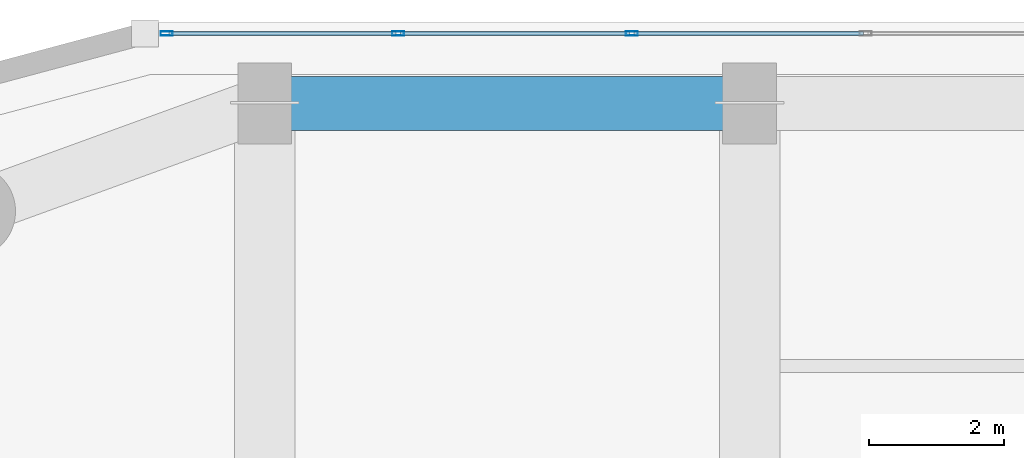
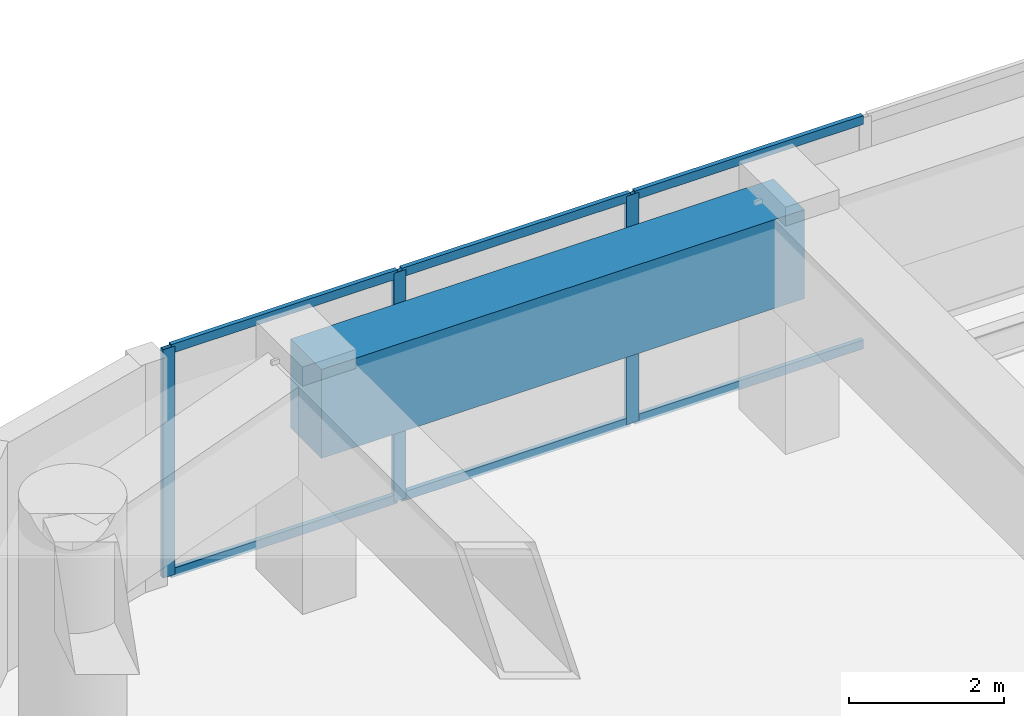
# One storey, part 13 of 25: 9 members, 1 beam, 1 element without a shape of its own.
"""IFC4 building model written with IfcOpenShell, lengths in metres."""

from ifc_helpers import new_model, si_unit, direction, frame, origin, origin_2d, place, context, subcontext, project, spatial, rectangle, hollow_rectangle, extrude, material, layer, layer_set, material_profile, profile_set, type_object, element, aggregate, save


model = new_model("IFC4")

# Units and contexts
model_context = context("Model", 3, precision=1e-05, world=origin(), true_north=direction((0.0, 1.0)))
body_context = subcontext(model_context, "Body", "Model", "MODEL_VIEW")
ifc_project = project(units=[si_unit("LENGTHUNIT", "METRE"), si_unit("AREAUNIT", "SQUARE_METRE"), si_unit("VOLUMEUNIT", "CUBIC_METRE"), si_unit("PLANEANGLEUNIT", "RADIAN"), si_unit("MASSUNIT", "GRAM", prefix="KILO")], contexts=[model_context])

# Site, building, storey
site_placement = place(None, origin())
site = spatial("IfcSite", under=ifc_project, at=site_placement, CompositionType="ELEMENT")
building_placement = place(site_placement, origin())
building = spatial("IfcBuilding", under=site, at=building_placement, Name="Kiyonajd Concourse Tower", CompositionType="ELEMENT")
storey_placement = place(building_placement, frame((0.0, 0.0, 141.60009765625)))
storey = spatial("IfcBuildingStorey", under=building, at=storey_placement, Name="L36", CompositionType="ELEMENT", Elevation=141.60009765625)

# Beam
ifc_material_1 = material(Name="Concrete C60/75", Category="concrete")
ifc_material_profile_1 = material_profile(ifc_material_1, rectangle(XDim=0.800048828125, YDim=1.39990234375, at=origin_2d()), Name="RCBM-800x1400")
ifc_profile_set_1 = profile_set([ifc_material_profile_1], Name="Concrete C60/75")
beam_type = type_object("IfcBeamType", Name="BM-XFER-RC", PredefinedType="BEAM", material=ifc_profile_set_1)
beam_placement = place(storey_placement, frame((32.39990234375, 61.199951171875, 2.89990234375), z_axis=(-1.0, 0.0, 0.0), x_axis=(0.0, -1.0, 0.0)))
element("IfcBeam", 1, at=beam_placement, inside=storey, type_object=beam_type, Name="L36 Perimeter Bundled Tube Spandrel", PredefinedType="BEAM", context=body_context, shape_type="SweptSolid", body=[
    extrude(rectangle(XDim=0.800048828125, YDim=1.39990234375, at=origin_2d()), origin(), (0.0, 0.0, 1.0), 7.199951171875),
])

# Curtain wall, members
ifc_material_2 = material(Name="Thermally Broken Anodised Aluminium", Category="aluminium")
ifc_layer = layer(ifc_material_2, 0.179931640625)
ifc_layer_set = layer_set([ifc_layer], Name="Thermally Broken Anodised Aluminium")
curtain_wall_type = type_object("IfcCurtainWallType", Name="CW-SYS-03", PredefinedType="NOTDEFINED", material=ifc_layer_set)
curtain_wall_placement = place(storey_placement, origin())
curtain_wall = element("IfcCurtainWall", 2, at=curtain_wall_placement, inside=storey, type_object=curtain_wall_type, Name="L36 Unitised Curtain Wall CW3", PredefinedType="NOTDEFINED")
ifc_material_profile_2 = material_profile(ifc_material_2, hollow_rectangle(XDim=0.06494140625, YDim=0.179931640625, WallThickness=0.00390625, at=origin_2d()), Name="MULL-65x180")
ifc_profile_set_2 = profile_set([ifc_material_profile_2], Name="Thermally Broken Anodised Aluminium")
member_type_1 = type_object("IfcMemberType", Name="MB-CW-MULL1", PredefinedType="MULLION", material=ifc_profile_set_2)
member_1_placement = place(storey_placement, frame((23.74365234375, 62.239990234375, 0.0), z_axis=(0.0, 0.0, 1.0), x_axis=(0.0, 1.0, 0.0)))
member_1 = element("IfcMember", 3, at=member_1_placement, type_object=member_type_1, Name="CW3 mullion 1", PredefinedType="MULLION", context=body_context, shape_type="SweptSolid", body=[
    extrude(hollow_rectangle(XDim=0.06494140625, YDim=0.179931640625, WallThickness=0.00390625, at=origin_2d()), origin(), (0.0, 0.0, 1.0), 3.599853515625),
])
member_2_placement = place(storey_placement, frame((27.181884765625, 62.239990234375, 0.0), z_axis=(0.0, 0.0, 1.0), x_axis=(0.0, 1.0, 0.0)))
member_2 = element("IfcMember", 4, at=member_2_placement, type_object=member_type_1, Name="CW3 mullion 2", PredefinedType="MULLION", context=body_context, shape_type="SweptSolid", body=[
    extrude(hollow_rectangle(XDim=0.06494140625, YDim=0.179931640625, WallThickness=0.00390625, at=origin_2d()), origin(), (0.0, 0.0, 1.0), 3.599853515625),
])
member_3_placement = place(storey_placement, frame((30.652587890625, 62.239990234375, 0.0), z_axis=(0.0, 0.0, 1.0), x_axis=(0.0, 1.0, 0.0)))
member_3 = element("IfcMember", 5, at=member_3_placement, type_object=member_type_1, Name="CW3 mullion 3", PredefinedType="MULLION", context=body_context, shape_type="SweptSolid", body=[
    extrude(hollow_rectangle(XDim=0.06494140625, YDim=0.179931640625, WallThickness=0.00390625, at=origin_2d()), origin(), (0.0, 0.0, 1.0), 3.599853515625),
])
ifc_material_profile_3 = material_profile(ifc_material_2, hollow_rectangle(XDim=0.06494140625, YDim=0.139892578125, WallThickness=0.00390625, at=origin_2d()), Name="TRAN-65x140")
ifc_profile_set_3 = profile_set([ifc_material_profile_3], Name="Thermally Broken Anodised Aluminium")
member_type_2 = type_object("IfcMemberType", Name="MB-CW-TRAN1", PredefinedType="USERDEFINED", material=ifc_profile_set_3)
member_4_placement = place(storey_placement, frame((23.776123046875, 62.239990234375, 0.032470703125), z_axis=(1.0, 0.0, 0.0), x_axis=(0.0, 1.0, 0.0)))
member_4 = element("IfcMember", 6, at=member_4_placement, type_object=member_type_2, Name="CW3 transom 1.1", ObjectType="TRANSOM", PredefinedType="USERDEFINED", context=body_context, shape_type="SweptSolid", body=[
    extrude(hollow_rectangle(XDim=0.06494140625, YDim=0.139892578125, WallThickness=0.00390625, at=origin_2d()), origin(), (0.0, 0.0, 1.0), 3.373291015625),
])
member_5_placement = place(storey_placement, frame((23.776123046875, 62.239990234375, 3.5673828125), z_axis=(1.0, 0.0, 0.0), x_axis=(0.0, 1.0, 0.0)))
member_5 = element("IfcMember", 7, at=member_5_placement, type_object=member_type_2, Name="CW3 transom 1.2", ObjectType="TRANSOM", PredefinedType="USERDEFINED", context=body_context, shape_type="SweptSolid", body=[
    extrude(hollow_rectangle(XDim=0.06494140625, YDim=0.139892578125, WallThickness=0.00390625, at=origin_2d()), origin(), (0.0, 0.0, 1.0), 3.373291015625),
])
member_6_placement = place(storey_placement, frame((27.21435546875, 62.239990234375, 0.032470703125), z_axis=(1.0, 0.0, 0.0), x_axis=(0.0, 1.0, 0.0)))
member_6 = element("IfcMember", 8, at=member_6_placement, type_object=member_type_2, Name="CW3 transom 2.1", ObjectType="TRANSOM", PredefinedType="USERDEFINED", context=body_context, shape_type="SweptSolid", body=[
    extrude(hollow_rectangle(XDim=0.06494140625, YDim=0.139892578125, WallThickness=0.00390625, at=origin_2d()), origin(), (0.0, 0.0, 1.0), 3.40576171875),
])
member_7_placement = place(storey_placement, frame((27.21435546875, 62.239990234375, 3.5673828125), z_axis=(1.0, 0.0, 0.0), x_axis=(0.0, 1.0, 0.0)))
member_7 = element("IfcMember", 9, at=member_7_placement, type_object=member_type_2, Name="CW3 transom 2.2", ObjectType="TRANSOM", PredefinedType="USERDEFINED", context=body_context, shape_type="SweptSolid", body=[
    extrude(hollow_rectangle(XDim=0.06494140625, YDim=0.139892578125, WallThickness=0.00390625, at=origin_2d()), origin(), (0.0, 0.0, 1.0), 3.40576171875),
])
member_8_placement = place(storey_placement, frame((30.68505859375, 62.239990234375, 0.032470703125), z_axis=(1.0, 0.0, 0.0), x_axis=(0.0, 1.0, 0.0)))
member_8 = element("IfcMember", 10, at=member_8_placement, type_object=member_type_2, Name="CW3 transom 3.1", ObjectType="TRANSOM", PredefinedType="USERDEFINED", context=body_context, shape_type="SweptSolid", body=[
    extrude(hollow_rectangle(XDim=0.06494140625, YDim=0.139892578125, WallThickness=0.00390625, at=origin_2d()), origin(), (0.0, 0.0, 1.0), 3.40576171875),
])
member_9_placement = place(storey_placement, frame((30.68505859375, 62.239990234375, 3.5673828125), z_axis=(1.0, 0.0, 0.0), x_axis=(0.0, 1.0, 0.0)))
member_9 = element("IfcMember", 11, at=member_9_placement, type_object=member_type_2, Name="CW3 transom 3.2", ObjectType="TRANSOM", PredefinedType="USERDEFINED", context=body_context, shape_type="SweptSolid", body=[
    extrude(hollow_rectangle(XDim=0.06494140625, YDim=0.139892578125, WallThickness=0.00390625, at=origin_2d()), origin(), (0.0, 0.0, 1.0), 3.40576171875),
])
aggregate(curtain_wall, [member_1, member_2, member_3, member_4, member_5, member_6, member_7, member_8, member_9])

save(model, "model.ifc")
